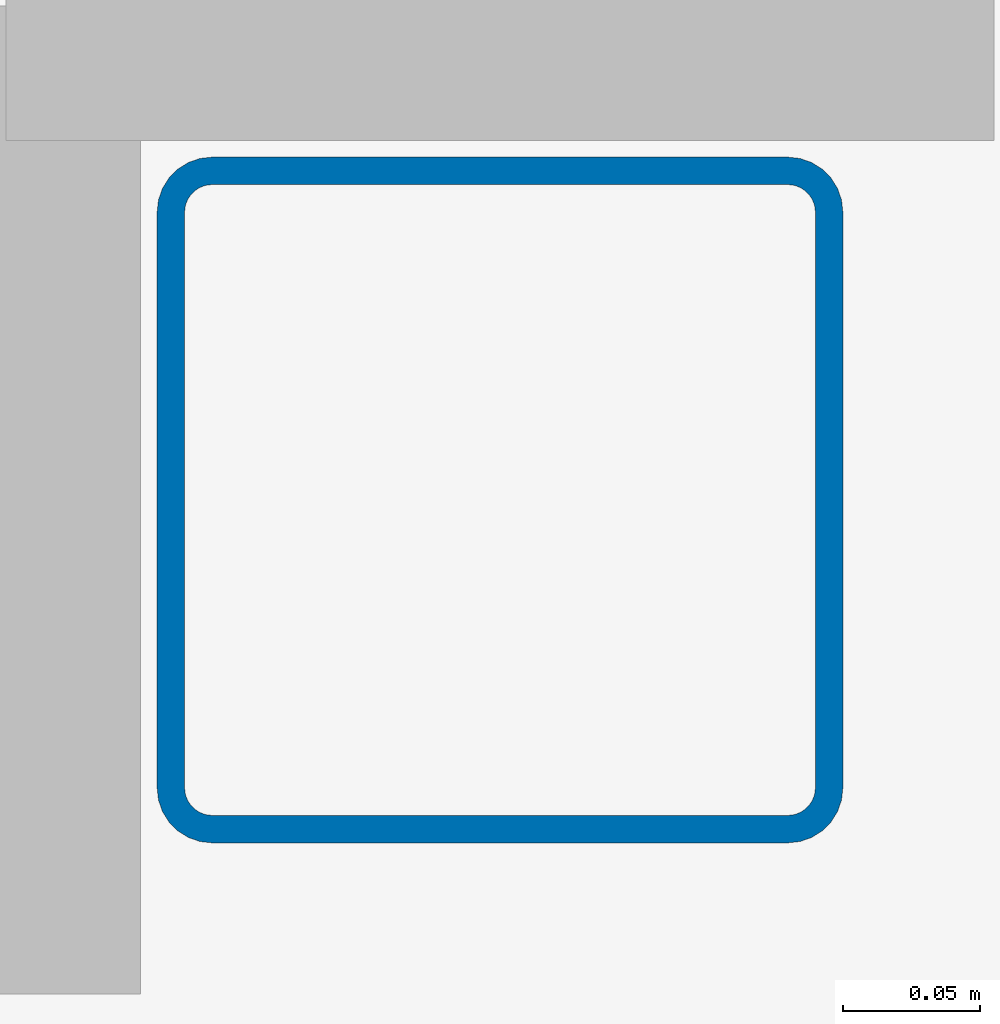
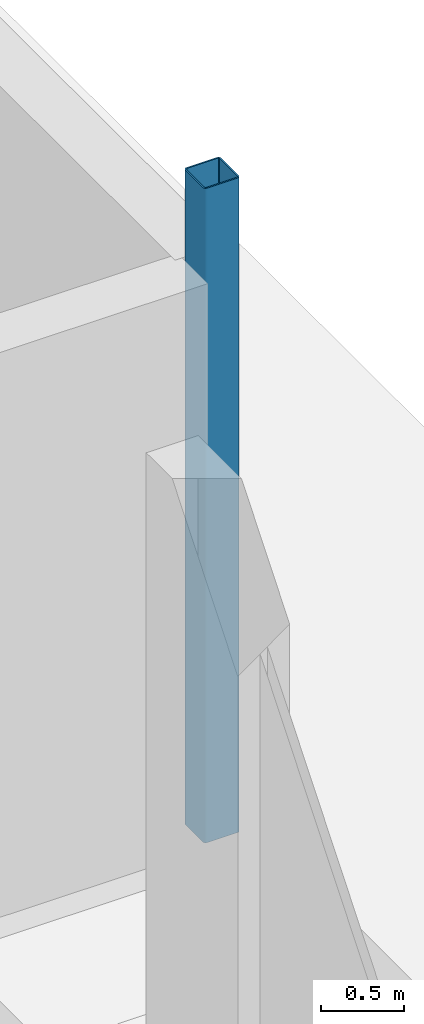
# One storey, part 34 of 112: 1 column.
"""IFC4 building model written with IfcOpenShell, lengths in metres."""

from ifc_helpers import new_model, si_unit, direction, frame, origin, origin_2d, place, context, subcontext, project, spatial, hollow_rectangle, extrude, material, material_profile, profile_set, type_object, element, save


model = new_model("IFC4")

# Units and contexts
model_context = context("Model", 3, precision=1e-05, world=origin(), true_north=direction((0.0, 1.0)))
body_context = subcontext(model_context, "Body", "Model", "MODEL_VIEW")
ifc_project = project(units=[si_unit("LENGTHUNIT", "METRE"), si_unit("AREAUNIT", "SQUARE_METRE"), si_unit("VOLUMEUNIT", "CUBIC_METRE"), si_unit("PLANEANGLEUNIT", "RADIAN"), si_unit("MASSUNIT", "GRAM", prefix="KILO")], contexts=[model_context])

# Site, building, storey
site_placement = place(None, origin())
site = spatial("IfcSite", under=ifc_project, at=site_placement, CompositionType="ELEMENT")
building_placement = place(site_placement, origin())
building = spatial("IfcBuilding", under=site, at=building_placement, Name="Tharagai Park Tramway Depot", CompositionType="ELEMENT")
storey_placement = place(building_placement, origin())
storey = spatial("IfcBuildingStorey", under=building, at=storey_placement, Name="L00", CompositionType="ELEMENT", Elevation=0.0)

# Column
ifc_material = material(Name="Steel E350", Category="steel")
ifc_material_profile = material_profile(ifc_material, hollow_rectangle(XDim=0.25, YDim=0.25, WallThickness=0.010009765625, InnerFilletRadius=0.010009765625, OuterFilletRadius=0.02001953125, at=origin_2d()), Name="SHS 250x250x10")
ifc_profile_set = profile_set([ifc_material_profile], Name="Steel E350")
column_type = type_object("IfcColumnType", Name="CL-14", PredefinedType="COLUMN", material=ifc_profile_set)
column_placement = place(storey_placement, frame((216.0, 54.0, 0.0), z_axis=(0.0, 0.0, 1.0), x_axis=(1.0, 0.0, 0.0)))
element("IfcColumn", 1, at=column_placement, inside=storey, type_object=column_type, Name="L00 Structural Column CL-14 (216,54)", PredefinedType="COLUMN", context=body_context, shape_type="SweptSolid", body=[
    extrude(hollow_rectangle(XDim=0.25, YDim=0.25, WallThickness=0.010009765625, InnerFilletRadius=0.010009765625, OuterFilletRadius=0.02001953125, at=origin_2d()), origin(), (0.0, 0.0, 1.0), 4.800048828125),
])

save(model, "model.ifc")
